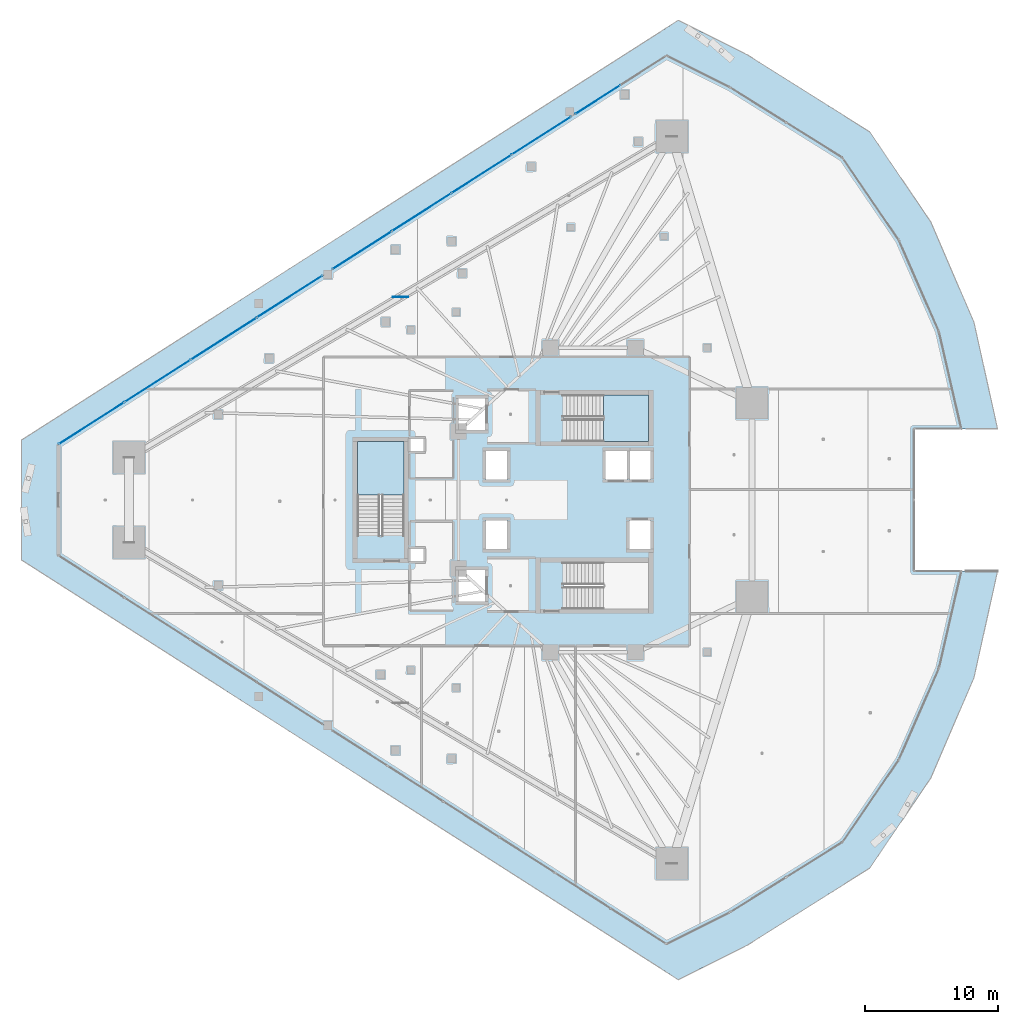
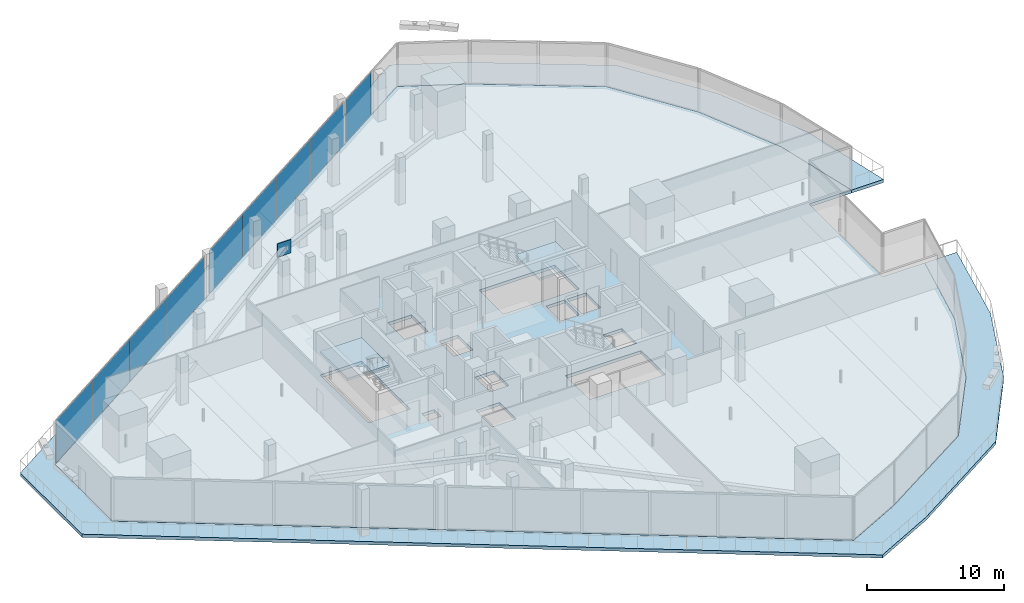
# One storey, part 28 of 45: 10 plates, 4 slabs, 5 elements without a shape of their own.
"""IFC4 building model written with IfcOpenShell, lengths in metres."""

from ifc_helpers import new_model, si_unit, direction, frame, origin, origin_2d, place, context, subcontext, project, spatial, polyline, rectangle, outline, extrude, material, layer, layer_set, type_object, element, aggregate, save


model = new_model("IFC4")

# Units and contexts
model_context = context("Model", 3, precision=1e-05, world=origin(), true_north=direction((0.0, 1.0)))
body_context = subcontext(model_context, "Body", "Model", "MODEL_VIEW")
ifc_project = project(units=[si_unit("LENGTHUNIT", "METRE"), si_unit("AREAUNIT", "SQUARE_METRE"), si_unit("VOLUMEUNIT", "CUBIC_METRE"), si_unit("PLANEANGLEUNIT", "RADIAN"), si_unit("MASSUNIT", "GRAM", prefix="KILO")], contexts=[model_context])

# Site, building, storey
site_placement = place(None, origin())
site = spatial("IfcSite", under=ifc_project, at=site_placement, CompositionType="ELEMENT")
building_placement = place(site_placement, origin())
building = spatial("IfcBuilding", under=site, at=building_placement, Name="Qorvath Tower", CompositionType="ELEMENT")
storey_placement = place(building_placement, frame((0.0, 0.0, 49.199951171875)))
storey = spatial("IfcBuildingStorey", under=building, at=storey_placement, Name="L10", CompositionType="ELEMENT", Elevation=49.199951171875)

# Curtain wall, plate
ifc_material_1 = material(Name="Anodised aluminium and triple low-E glass", Category="aluminium")
ifc_layer_1 = layer(ifc_material_1, 0.179931640625)
ifc_layer_set_1 = layer_set([ifc_layer_1], Name="CW-SYS-2")
curtain_wall_type = type_object("IfcCurtainWallType", Name="CW-SYS-2", PredefinedType="NOTDEFINED", material=ifc_layer_set_1)
curtain_wall_1_placement = place(storey_placement, origin())
curtain_wall_1 = element("IfcCurtainWall", 1, at=curtain_wall_1_placement, inside=storey, type_object=curtain_wall_type, Name="Curtain Wall CW-2 CW-T-L10-16.1", PredefinedType="NOTDEFINED")
ifc_material_2 = material(Name="Low-E triple insulated glass", Category="glass")
ifc_layer_2 = layer(ifc_material_2, 0.031982421875)
ifc_layer_set_2 = layer_set([ifc_layer_2], Name="CWP-GLZ-32")
plate_type_1 = type_object("IfcPlateType", Name="CWP-GLZ-32", PredefinedType="CURTAIN_PANEL", material=ifc_layer_set_2)
plate_1_placement = place(storey_placement, frame((-20.023193359375, 30.110595703125, 0.065185546875), z_axis=(0.0, 0.0, 1.0), x_axis=(-0.842604485719, -0.538532896531, 0.0)))
plate_1 = element("IfcPlate", 2, at=plate_1_placement, type_object=plate_type_1, Name="CW-2 panel 2.1", PredefinedType="CURTAIN_PANEL", context=body_context, shape_type="SweptSolid", body=[
    extrude(rectangle(XDim=3.995361328125, YDim=0.031982421875, at=origin_2d()), origin(), (0.0, 0.0, 1.0), 3.7900390625),
])
aggregate(curtain_wall_1, [plate_1])

# Curtain wall, plates
curtain_wall_2_placement = place(storey_placement, origin())
curtain_wall_2 = element("IfcCurtainWall", 3, at=curtain_wall_2_placement, inside=storey, type_object=curtain_wall_type, Name="Curtain Wall CW-2 CW-T-L10-16.2", PredefinedType="NOTDEFINED")
plate_2_placement = place(storey_placement, frame((-24.282958984375, 27.38818359375, 0.065185546875), z_axis=(0.0, 0.0, 1.0), x_axis=(-0.842599245537, -0.538541095387, 0.0)))
plate_2 = element("IfcPlate", 4, at=plate_2_placement, type_object=plate_type_1, Name="CW-2 panel 1.1", PredefinedType="CURTAIN_PANEL", context=body_context, shape_type="SweptSolid", body=[
    extrude(rectangle(XDim=5.24560546875, YDim=0.031982421875, at=origin_2d()), origin(), (0.0, 0.0, 1.0), 3.7900390625),
])
plate_3_placement = place(storey_placement, frame((-28.771240234375, 24.51953125, 0.065185546875), z_axis=(0.0, 0.0, 1.0), x_axis=(-0.842599245537, -0.538541095387, 0.0)))
plate_3 = element("IfcPlate", 5, at=plate_3_placement, type_object=plate_type_1, Name="CW-2 panel 2.1", PredefinedType="CURTAIN_PANEL", context=body_context, shape_type="SweptSolid", body=[
    extrude(rectangle(XDim=5.278076171875, YDim=0.031982421875, at=origin_2d()), origin(), (0.0, 0.0, 1.0), 3.7900390625),
])
plate_4_placement = place(storey_placement, frame((-33.2734375, 21.641845703125, 0.065185546875), z_axis=(0.0, 0.0, 1.0), x_axis=(-0.842599245537, -0.538541095387, 0.0)))
plate_4 = element("IfcPlate", 6, at=plate_4_placement, type_object=plate_type_1, Name="CW-2 panel 3.1", PredefinedType="CURTAIN_PANEL", context=body_context, shape_type="SweptSolid", body=[
    extrude(rectangle(XDim=5.278076171875, YDim=0.031982421875, at=origin_2d()), origin(), (0.0, 0.0, 1.0), 3.7900390625),
])
plate_5_placement = place(storey_placement, frame((-37.761962890625, 18.773193359375, 0.065185546875), z_axis=(0.0, 0.0, 1.0), x_axis=(-0.842599245537, -0.538541095387, 0.0)))
plate_5 = element("IfcPlate", 7, at=plate_5_placement, type_object=plate_type_1, Name="CW-2 panel 4.1", PredefinedType="CURTAIN_PANEL", context=body_context, shape_type="SweptSolid", body=[
    extrude(rectangle(XDim=5.24560546875, YDim=0.031982421875, at=origin_2d()), origin(), (0.0, 0.0, 1.0), 3.7900390625),
])
aggregate(curtain_wall_2, [plate_2, plate_3, plate_4, plate_5])

curtain_wall_3_placement = place(storey_placement, origin())
curtain_wall_3 = element("IfcCurtainWall", 8, at=curtain_wall_3_placement, inside=storey, type_object=curtain_wall_type, Name="Curtain Wall CW-2 CW-T-L10-16.3", PredefinedType="NOTDEFINED")
plate_6_placement = place(storey_placement, frame((-43.203369140625, 15.29541015625, 0.065185546875), z_axis=(0.0, 0.0, 1.0), x_axis=(-0.842605152044, -0.538531853978, 0.0)))
plate_6 = element("IfcPlate", 9, at=plate_6_placement, type_object=plate_type_1, Name="CW-2 panel 1.1", PredefinedType="CURTAIN_PANEL", context=body_context, shape_type="SweptSolid", body=[
    extrude(rectangle(XDim=5.806396484375, YDim=0.031982421875, at=origin_2d()), origin(), (0.0, 0.0, 1.0), 3.7900390625),
])
plate_7_placement = place(storey_placement, frame((-48.164306640625, 12.12451171875, 0.065185546875), z_axis=(0.0, 0.0, 1.0), x_axis=(-0.842605152044, -0.538531853978, 0.0)))
plate_7 = element("IfcPlate", 10, at=plate_7_placement, type_object=plate_type_1, Name="CW-2 panel 2.1", PredefinedType="CURTAIN_PANEL", context=body_context, shape_type="SweptSolid", body=[
    extrude(rectangle(XDim=5.8388671875, YDim=0.031982421875, at=origin_2d()), origin(), (0.0, 0.0, 1.0), 3.7900390625),
])
plate_8_placement = place(storey_placement, frame((-53.13916015625, 8.945068359375, 0.065185546875), z_axis=(0.0, 0.0, 1.0), x_axis=(-0.842605152044, -0.538531853978, 0.0)))
plate_8 = element("IfcPlate", 11, at=plate_8_placement, type_object=plate_type_1, Name="CW-2 panel 3.1", PredefinedType="CURTAIN_PANEL", context=body_context, shape_type="SweptSolid", body=[
    extrude(rectangle(XDim=5.8388671875, YDim=0.031982421875, at=origin_2d()), origin(), (0.0, 0.0, 1.0), 3.7900390625),
])
plate_9_placement = place(storey_placement, frame((-58.10009765625, 5.7744140625, 0.065185546875), z_axis=(0.0, 0.0, 1.0), x_axis=(-0.842605152044, -0.538531853978, 0.0)))
plate_9 = element("IfcPlate", 12, at=plate_9_placement, type_object=plate_type_1, Name="CW-2 panel 4.1", PredefinedType="CURTAIN_PANEL", context=body_context, shape_type="SweptSolid", body=[
    extrude(rectangle(XDim=5.806396484375, YDim=0.031982421875, at=origin_2d()), origin(), (0.0, 0.0, 1.0), 3.7900390625),
])
aggregate(curtain_wall_3, [plate_6, plate_7, plate_8, plate_9])

# Plate
ifc_material_3 = material(Name="Steel ASTM A572 Grade 50", Category="steel")
ifc_layer_3 = layer(ifc_material_3, 0.054931640625)
ifc_layer_set_3 = layer_set([ifc_layer_3], Name="PL-MBN1")
plate_type_2 = type_object("IfcPlateType", Name="PL-MBN1", PredefinedType="USERDEFINED", material=ifc_layer_set_3)
plate_10_placement = place(storey_placement, frame((-34.873779296875, 15.2626953125, 2.97021484375), z_axis=(0.0, 0.0, 1.0), x_axis=(1.0, 0.0, 0.0)))
element("IfcPlate", 13, at=plate_10_placement, inside=storey, type_object=plate_type_2, Name="Mega-Brace Chevron Apex Gusset L10-1", ObjectType="GUSSET", PredefinedType="USERDEFINED", context=body_context, shape_type="SweptSolid", body=[
    extrude(rectangle(XDim=1.14990234375, YDim=0.054931640625, at=origin_2d()), origin(), (0.0, 0.0, 1.0), 1.199951171875),
])

# Stair, slab
ifc_material_4 = material(Name="Concrete C50/60", Category="concrete")
stair_type = type_object("IfcStairType", Name="ST-H420", PredefinedType="HALF_TURN_STAIR", material=ifc_material_4)
stair_1_placement = place(storey_placement, origin())
stair_1 = element("IfcStair", 14, at=stair_1_placement, inside=storey, type_object=stair_type, Name="L10 Tower Exit Stair 1", PredefinedType="HALF_TURN_STAIR")
ifc_material_5 = material(Name="Concrete C50/60", Category="concrete")
ifc_layer_4 = layer(ifc_material_5, 0.199951171875)
ifc_layer_set_4 = layer_set([ifc_layer_4], Name="SL-LND-200")
slab_type_1 = type_object("IfcSlabType", Name="SL-LND-200", PredefinedType="LANDING", material=ifc_layer_set_4)
slab_1_placement = place(storey_placement, frame((0.0, 0.0, 1.900146484375)))
slab_1 = element("IfcSlab", 15, at=slab_1_placement, type_object=slab_type_1, Name="TS1 landing 1", PredefinedType="LANDING", context=body_context, shape_type="SweptSolid", body=[
    extrude(outline(polyline([(-19.590087890625, 4.39990234375), (-16.199951171875, 4.39990234375), (-16.199951171875, 7.909912109375), (-19.590087890625, 7.909912109375), (-19.590087890625, 4.39990234375)])), origin(), (0.0, 0.0, 1.0), 0.199951171875),
])
aggregate(stair_1, [slab_1])

stair_2_placement = place(storey_placement, origin())
stair_2 = element("IfcStair", 16, at=stair_2_placement, inside=storey, type_object=stair_type, Name="L10 Tower Exit Stair 3", PredefinedType="HALF_TURN_STAIR")
slab_2_placement = place(storey_placement, frame((0.0, 0.0, 1.900146484375)))
slab_2 = element("IfcSlab", 17, at=slab_2_placement, type_object=slab_type_1, Name="TS3 landing 1", PredefinedType="LANDING", context=body_context, shape_type="SweptSolid", body=[
    extrude(outline(polyline([(-34.60009765625, 0.360107421875), (-34.60009765625, 4.39990234375), (-38.110107421875, 4.39990234375), (-38.110107421875, 0.360107421875), (-34.60009765625, 0.360107421875)])), origin(), (0.0, 0.0, 1.0), 0.199951171875),
])
aggregate(stair_2, [slab_2])

# Slabs
ifc_material_6 = material(Name="Precast concrete C45/55", Category="concrete")
ifc_layer_5 = layer(ifc_material_6, 0.280029296875)
ifc_layer_set_5 = layer_set([ifc_layer_5], Name="SL-LOG-280")
slab_type_2 = type_object("IfcSlabType", Name="SL-LOG-280", PredefinedType="FLOOR", material=ifc_layer_set_5)
slab_3_placement = place(storey_placement, frame((0.0, 0.0, -0.280029296875)))
element("IfcSlab", 18, at=slab_3_placement, inside=storey, type_object=slab_type_2, Name="Tower L10 Perimeter Loggia and Terrace Slab", PredefinedType="FLOOR", context=body_context, shape_type="SweptSolid", body=[
    extrude(outline(polyline([(7.314208984375, -5.356689453125), (5.630859375, -12.662109375), (2.623291015625, -19.529296875), (-1.604248046875, -25.720703125), (-10.091552734375, -31.021484375), (-14.864013671875, -33.407958984375), (-60.60107421875, -4.176025390625), (-60.60107421875, 4.176025390625), (-14.864013671875, 33.407958984375), (-10.091552734375, 31.021484375), (-1.604248046875, 25.720703125), (2.623291015625, 19.529296875), (5.630859375, 12.662109375), (7.314208984375, 5.356689453125), (10.030029296875, 5.356689453125), (8.257568359375, 13.365966796875), (5.013427734375, 20.900146484375), (0.4130859375, 27.691650390625), (-8.82080078125, 33.499267578125), (-13.974609375, 36.076171875), (-63.364501953125, 4.509521484375), (-63.364501953125, -4.509521484375), (-13.974609375, -36.076171875), (-8.82080078125, -33.499267578125), (0.4130859375, -27.691650390625), (5.013427734375, -20.900146484375), (8.257568359375, -13.365966796875), (10.030029296875, -5.356689453125), (7.314208984375, -5.356689453125)])), origin(), (0.0, 0.0, 1.0), 0.280029296875),
])
ifc_material_7 = material(Name="Concrete C45/55", Category="concrete")
ifc_layer_6 = layer(ifc_material_7, 0.280029296875)
ifc_layer_set_6 = layer_set([ifc_layer_6], Name="SL-TYP-280")
slab_type_3 = type_object("IfcSlabType", Name="SL-TYP-280", PredefinedType="FLOOR", material=ifc_layer_set_6)
slab_4_placement = place(storey_placement, frame((0.0, 0.0, -0.280029296875)))
element("IfcSlab", 19, at=slab_4_placement, inside=storey, type_object=slab_type_3, Name="Tower L10 Interior Floor Slab", PredefinedType="FLOOR", context=body_context, shape_type="SweptSolid", body=[
    extrude(outline(polyline([(-60.60107421875, 4.176025390625), (-60.60107421875, -4.176025390625), (-14.864013671875, -33.407958984375), (-10.091552734375, -31.021484375), (-1.604248046875, -25.720703125), (2.623291015625, -19.529296875), (5.630859375, -12.662109375), (7.314208984375, -5.356689453125), (3.742919921875, -5.356689453125), (3.742919921875, 5.356689453125), (7.314208984375, 5.356689453125), (5.630859375, 12.662109375), (2.623291015625, 19.529296875), (-1.604248046875, 25.720703125), (-10.091552734375, 31.021484375), (-14.864013671875, 33.407958984375), (-60.60107421875, 4.176025390625)]), holes=[polyline([(-17.64990234375, -3.699951171875), (-17.64990234375, -1.550048828125), (-16.050048828125, -1.550048828125), (-16.050048828125, -3.699951171875), (-17.64990234375, -3.699951171875)]), polyline([(-17.64990234375, 1.550048828125), (-17.64990234375, 3.699951171875), (-16.050048828125, 3.699951171875), (-16.050048828125, 1.550048828125), (-17.64990234375, 1.550048828125)]), polyline([(-16.2451171875, -8.199951171875), (-22.625, -8.199951171875), (-22.625, -4.68994140625), (-16.2451171875, -4.68994140625), (-16.2451171875, -8.199951171875)]), polyline([(-22.625, 4.39990234375), (-22.625, 7.909912109375), (-16.2451171875, 7.909912109375), (-16.2451171875, 4.39990234375), (-22.625, 4.39990234375)]), polyline([(-17.85009765625, 1.550048828125), (-19.449951171875, 1.550048828125), (-19.449951171875, 3.699951171875), (-17.85009765625, 3.699951171875), (-17.85009765625, 1.550048828125)]), polyline([(-28.449951171875, -3.699951171875), (-28.449951171875, -1.550048828125), (-26.85009765625, -1.550048828125), (-26.85009765625, -3.699951171875), (-28.449951171875, -3.699951171875)]), polyline([(-26.85009765625, 1.550048828125), (-28.449951171875, 1.550048828125), (-28.449951171875, 3.699951171875), (-26.85009765625, 3.699951171875), (-26.85009765625, 1.550048828125)]), polyline([(-28.5, -7.64990234375), (-30.5, -7.64990234375), (-30.5, -5.25), (-28.5, -5.25), (-28.5, -7.64990234375)]), polyline([(-30.5, 5.25), (-30.5, 7.64990234375), (-28.5, 7.64990234375), (-28.5, 5.25), (-30.5, 5.25)]), polyline([(-34.14990234375, -4.6201171875), (-34.14990234375, -3.64990234375), (-33.10009765625, -3.64990234375), (-33.10009765625, -4.6201171875), (-34.14990234375, -4.6201171875)]), polyline([(-34.14990234375, 3.64990234375), (-34.14990234375, 4.6201171875), (-33.10009765625, 4.6201171875), (-33.10009765625, 3.64990234375), (-34.14990234375, 3.64990234375)]), polyline([(-34.60009765625, -2.675048828125), (-38.110107421875, -2.675048828125), (-38.110107421875, 4.35498046875), (-34.60009765625, 4.35498046875), (-34.60009765625, -2.675048828125)])]), origin(), (0.0, 0.0, 1.0), 0.280029296875),
])

save(model, "model.ifc")
